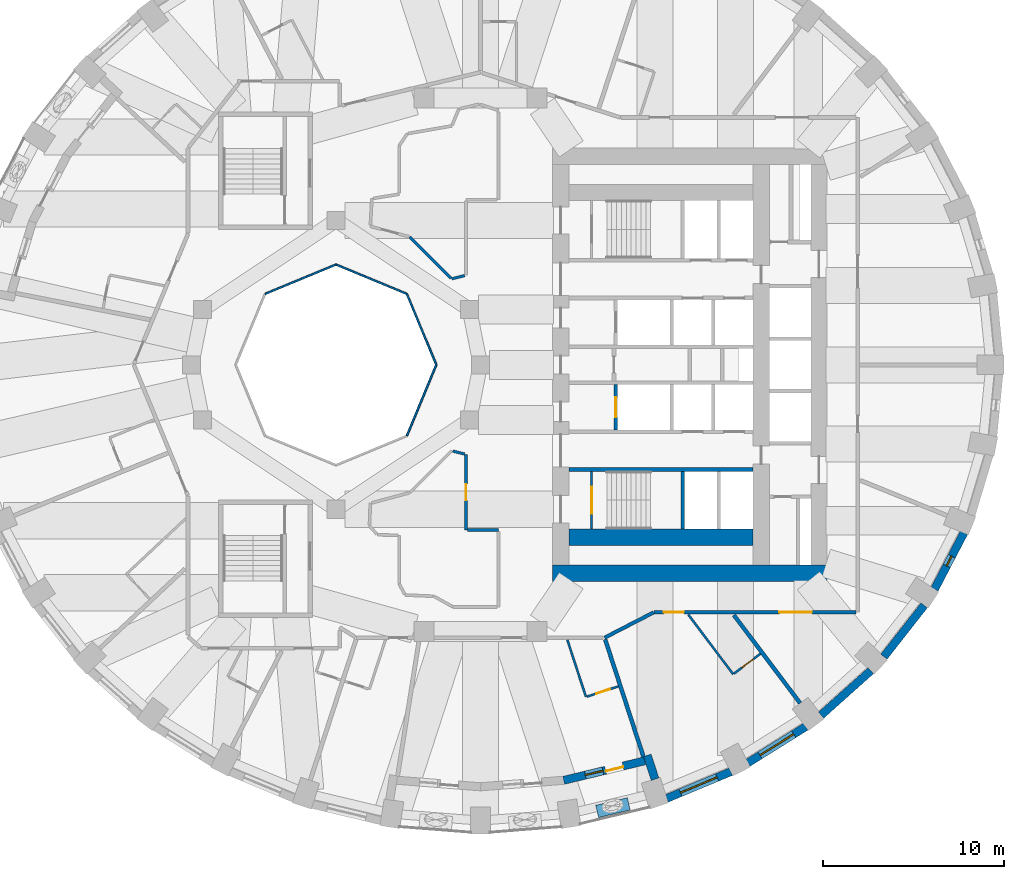
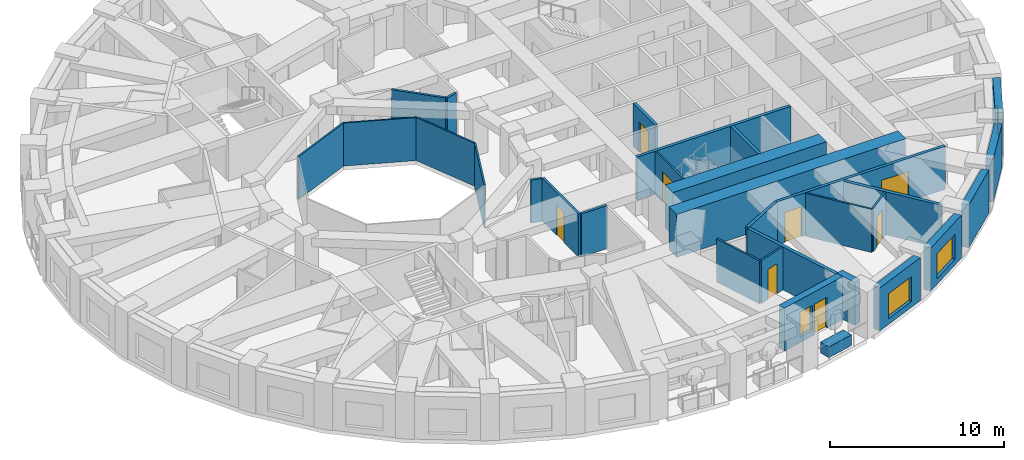
# One storey, part 5 of 13: 31 walls, 8 doors, 4 windows, 12 openings.
"""IFC4 building model written with IfcOpenShell, lengths in metres."""

from ifc_helpers import new_model, si_unit, direction, frame, frame_2d, origin, place, context, subcontext, project, spatial, rectangle, extrude, material, layer, layer_set, constituent, constituent_set, type_object, element, fill, save


model = new_model("IFC4")

# Units and contexts
model_context = context("Model", 3, precision=1e-05, world=origin(), true_north=direction((0.0, 1.0)))
body_context = subcontext(model_context, "Body", "Model", "MODEL_VIEW")
ifc_project = project(units=[si_unit("LENGTHUNIT", "METRE"), si_unit("AREAUNIT", "SQUARE_METRE"), si_unit("VOLUMEUNIT", "CUBIC_METRE"), si_unit("PLANEANGLEUNIT", "RADIAN"), si_unit("MASSUNIT", "GRAM", prefix="KILO")], contexts=[model_context])

# Site, building, storey
site_placement = place(None, origin())
site = spatial("IfcSite", under=ifc_project, at=site_placement, CompositionType="ELEMENT")
building_placement = place(site_placement, origin())
building = spatial("IfcBuilding", under=site, at=building_placement, Name="Taillehof Tower", CompositionType="ELEMENT")
storey_placement = place(building_placement, frame((0.0, 0.0, 77.800048828125)))
storey = spatial("IfcBuildingStorey", under=building, at=storey_placement, Name="L21", CompositionType="ELEMENT", Elevation=77.800048828125)

# Walls
ifc_material_1 = material(Name="Fire-resisting glass in steel frame", Category="steel")
ifc_layer_1 = layer(ifc_material_1, 0.10009765625)
ifc_layer_set_1 = layer_set([ifc_layer_1], Name="Atrium fire-resisting screen EI 60 100")
wall_type_1 = type_object("IfcWallType", Name="Atrium fire-resisting screen EI 60 100", PredefinedType="PARTITIONING", material=ifc_layer_set_1)
for number, where, z_axis, x_axis, name in (
    (1, (-2.44580078125, 0.0, 0.0), (0.0, 0.0, 1.0), (-0.382730523909, -0.923860025149, 0.0), "Atrium screen"),
    (2, (-11.92724609375, 3.92724609375, 0.0), (0.0, 0.0, 1.0), (0.923860025149, 0.382730523909, 0.0), "Atrium screen"),
    (3, (-8.0, 5.55419921875, 0.0), (0.0, 0.0, 1.0), (0.923860025149, -0.382730523909, 0.0), "Atrium screen"),
    (4, (-4.07275390625, 3.92724609375, 0.0), (0.0, 0.0, 1.0), (0.382730523909, -0.923860025149, 0.0), "Atrium screen"),
):
    element("IfcWall", number, at=place(storey_placement, frame(where, z_axis=z_axis, x_axis=x_axis)), inside=storey, type_object=wall_type_1, Name=name, PredefinedType="PARTITIONING", context=body_context, shape_type="SweptSolid", body=[
        extrude(rectangle(XDim=4.2509765625, YDim=0.10009765625, at=frame_2d((2.12548828125, 0.0))), origin(), (0.0, 0.0, 1.0), 3.02001953125),
    ])

# Wall, opening, window
ifc_material_2 = material(Name="Brick masonry", Category="masonry")
ifc_layer_2 = layer(ifc_material_2, 0.449951171875)
ifc_layer_set_2 = layer_set([ifc_layer_2], Name="Brick infill wall 450")
wall_type_2 = type_object("IfcWallType", Name="Brick infill wall 450", PredefinedType="SOLIDWALL", material=ifc_layer_set_2)
wall_1_placement = place(storey_placement, frame((10.3154296875, -24.02099609375, 0.0), z_axis=(0.0, 0.0, 1.0), x_axis=(0.923031964282, 0.384723267966, 0.0)))
wall_1 = element("IfcWall", 5, at=wall_1_placement, inside=storey, type_object=wall_type_2, Name="Brick wall L21 bay 30", PredefinedType="SOLIDWALL", context=body_context, shape_type="SweptSolid", body=[
    extrude(rectangle(XDim=3.8564453125, YDim=0.449951171875, at=frame_2d((1.92822265625, 0.0))), origin(), (0.0, 0.0, 1.0), 3.02001953125),
])
opening_1_placement = place(wall_1_placement, frame((0.828125, 0.0, 0.39990234375)))
opening_1 = element("IfcOpeningElement", 6, at=opening_1_placement, cuts=wall_1, Name="Opening W1", PredefinedType="OPENING", context=body_context, shape_type="SweptSolid", body=[
    extrude(rectangle(XDim=2.199951171875, YDim=1.75, at=frame_2d((1.10009765625, 0.875))), frame((0.0, 0.23486328125, 0.0), z_axis=(0.0, -1.0, 0.0), x_axis=(1.0, 0.0, 0.0)), (0.0, 0.0, 1.0), 0.469970703125),
])
ifc_material_3 = material(Name="Aluminium window frame with clear double glazing", Category="aluminium")
window_type_1 = type_object("IfcWindowType", Name="Deep-set window 2200x1750", PartitioningType="SINGLE_PANEL", PredefinedType="WINDOW", material=ifc_material_3)
window_1_placement = place(opening_1_placement, origin())
window_1 = element("IfcWindow", 7, at=window_1_placement, inside=storey, type_object=window_type_1, Name="W1", OverallHeight=1.75, OverallWidth=2.199951171875, PartitioningType="SINGLE_PANEL", PredefinedType="WINDOW", context=body_context, shape_type="SweptSolid", body=[
    extrude(rectangle(XDim=2.199951171875, YDim=1.75, at=frame_2d((1.10009765625, 0.875))), frame((0.0, 0.034912109375, 0.0), z_axis=(0.0, -1.0, 0.0), x_axis=(1.0, 0.0, 0.0)), (0.0, 0.0, 1.0), 0.06005859375),
])
fill(opening_1, window_1)

wall_2_placement = place(storey_placement, frame((14.81689453125, -22.050537109375, 0.0), z_axis=(0.0, 0.0, 1.0), x_axis=(0.847635480093, 0.530579016629, 0.0)))
wall_2 = element("IfcWall", 8, at=wall_2_placement, inside=storey, type_object=wall_type_2, Name="Brick wall L21 bay 31", PredefinedType="SOLIDWALL", context=body_context, shape_type="SweptSolid", body=[
    extrude(rectangle(XDim=3.782470703125, YDim=0.449951171875, at=frame_2d((1.89111328125, 0.0))), origin(), (0.0, 0.0, 1.0), 3.02001953125),
])
opening_2_placement = place(wall_2_placement, frame((0.791259765625, 0.0, 0.39990234375)))
opening_2 = element("IfcOpeningElement", 9, at=opening_2_placement, cuts=wall_2, Name="Opening W1", PredefinedType="OPENING", context=body_context, shape_type="SweptSolid", body=[
    extrude(rectangle(XDim=2.199951171875, YDim=1.75, at=frame_2d((1.10009765625, 0.875))), frame((0.0, 0.23486328125, 0.0), z_axis=(0.0, -1.0, 0.0), x_axis=(1.0, 0.0, 0.0)), (0.0, 0.0, 1.0), 0.469970703125),
])
window_2_placement = place(opening_2_placement, origin())
window_2 = element("IfcWindow", 10, at=window_2_placement, inside=storey, type_object=window_type_1, Name="W1", OverallHeight=1.75, OverallWidth=2.199951171875, PartitioningType="SINGLE_PANEL", PredefinedType="WINDOW", context=body_context, shape_type="SweptSolid", body=[
    extrude(rectangle(XDim=2.199951171875, YDim=1.75, at=frame_2d((1.10009765625, 0.875))), frame((0.0, 0.034912109375, 0.0), z_axis=(0.0, -1.0, 0.0), x_axis=(1.0, 0.0, 0.0)), (0.0, 0.0, 1.0), 0.06005859375),
])
fill(opening_2, window_2)

# Walls
wall_3_placement = place(storey_placement, frame((18.87060546875, -19.406982421875, 0.0), z_axis=(0.0, 0.0, 1.0), x_axis=(0.745526233716, 0.66647628228, 0.0)))
element("IfcWall", 11, at=wall_3_placement, inside=storey, type_object=wall_type_2, Name="Brick wall L21 bay 32", PredefinedType="SOLIDWALL", context=body_context, shape_type="SweptSolid", body=[
    extrude(rectangle(XDim=3.69677734375, YDim=0.449951171875, at=frame_2d((1.848388671875, 0.0))), origin(), (0.0, 0.0, 1.0), 3.02001953125),
])
wall_4_placement = place(storey_placement, frame((22.3515625, -16.169677734375, 0.0), z_axis=(0.0, 0.0, 1.0), x_axis=(0.616661975264, 0.787228053529, 0.0)))
element("IfcWall", 12, at=wall_4_placement, inside=storey, type_object=wall_type_2, Name="Brick wall L21 bay 33", PredefinedType="SOLIDWALL", context=body_context, shape_type="SweptSolid", body=[
    extrude(rectangle(XDim=3.60986328125, YDim=0.449951171875, at=frame_2d((1.804931640625, 0.0))), origin(), (0.0, 0.0, 1.0), 3.02001953125),
])

# Wall, opening, window
wall_5_placement = place(storey_placement, frame((25.152099609375, -12.436767578125, 0.0), z_axis=(0.0, 0.0, 1.0), x_axis=(0.462492775226, 0.886623050041, 0.0)))
wall_5 = element("IfcWall", 13, at=wall_5_placement, inside=storey, type_object=wall_type_2, Name="Brick wall L21 bay 34", PredefinedType="SOLIDWALL", context=body_context, shape_type="SweptSolid", body=[
    extrude(rectangle(XDim=3.531982421875, YDim=0.449951171875, at=frame_2d((1.76611328125, 0.0))), origin(), (0.0, 0.0, 1.0), 3.02001953125),
])
opening_3_placement = place(wall_5_placement, frame((1.466064453125, 0.0, 0.39990234375)))
opening_3 = element("IfcOpeningElement", 14, at=opening_3_placement, cuts=wall_5, Name="Opening W6", PredefinedType="OPENING", context=body_context, shape_type="SweptSolid", body=[
    extrude(rectangle(XDim=0.60009765625, YDim=1.75, at=frame_2d((0.300048828125, 0.875))), frame((0.0, 0.23486328125, 0.0), z_axis=(0.0, -1.0, 0.0), x_axis=(1.0, 0.0, 0.0)), (0.0, 0.0, 1.0), 0.469970703125),
])
ifc_material_4 = material(Name="Aluminium window frame with clear double glazing", Category="aluminium")
window_type_2 = type_object("IfcWindowType", Name="Slot window 600x1750", PartitioningType="SINGLE_PANEL", PredefinedType="WINDOW", material=ifc_material_4)
window_3_placement = place(opening_3_placement, origin())
window_3 = element("IfcWindow", 15, at=window_3_placement, inside=storey, type_object=window_type_2, Name="W6", OverallHeight=1.75, OverallWidth=0.60009765625, PartitioningType="SINGLE_PANEL", PredefinedType="WINDOW", context=body_context, shape_type="SweptSolid", body=[
    extrude(rectangle(XDim=0.60009765625, YDim=1.75, at=frame_2d((0.300048828125, 0.875))), frame((0.0, 0.034912109375, 0.0), z_axis=(0.0, -1.0, 0.0), x_axis=(1.0, 0.0, 0.0)), (0.0, 0.0, 1.0), 0.06005859375),
])
fill(opening_3, window_3)

# Wall
wall_6_placement = place(storey_placement, frame((9.673583984375, -22.95556640625, 0.0), z_axis=(0.0, 0.0, 1.0), x_axis=(-0.310269011655, 0.950648799719, 0.0)))
element("IfcWall", 16, at=wall_6_placement, inside=storey, type_object=wall_type_2, Name="Brick reveal L21 pocket 8", PredefinedType="SOLIDWALL", context=body_context, shape_type="SweptSolid", body=[
    extrude(rectangle(XDim=1.390380859375, YDim=0.449951171875, at=frame_2d((0.6953125, 0.0))), origin(), (0.0, 0.0, 1.0), 3.02001953125),
])

# Wall, openings, door, window
wall_7_placement = place(storey_placement, frame((4.6083984375, -23.015625, 0.0), z_axis=(0.0, 0.0, 1.0), x_axis=(0.972343667289, 0.233554688847, 0.0)))
wall_7 = element("IfcWall", 17, at=wall_7_placement, inside=storey, type_object=wall_type_2, Name="Brick wall L21 pocket bay 29", PredefinedType="SOLIDWALL", context=body_context, shape_type="SweptSolid", body=[
    extrude(rectangle(XDim=4.62353515625, YDim=0.449951171875, at=frame_2d((2.311767578125, 0.0))), origin(), (0.0, 0.0, 1.0), 3.02001953125),
])
opening_4_placement = place(wall_7_placement, frame((1.23681640625, 0.0, 0.39990234375)))
opening_4 = element("IfcOpeningElement", 18, at=opening_4_placement, cuts=wall_7, Name="Opening W5", PredefinedType="OPENING", context=body_context, shape_type="SweptSolid", body=[
    extrude(rectangle(XDim=1.0, YDim=1.75, at=frame_2d((0.5, 0.875))), frame((0.0, 0.23486328125, 0.0), z_axis=(0.0, -1.0, 0.0), x_axis=(1.0, 0.0, 0.0)), (0.0, 0.0, 1.0), 0.469970703125),
])
opening_5_placement = place(wall_7_placement, frame((2.38671875, 0.0, 0.0)))
opening_5 = element("IfcOpeningElement", 19, at=opening_5_placement, cuts=wall_7, Name="Opening D2193", PredefinedType="OPENING", context=body_context, shape_type="SweptSolid", body=[
    extrude(rectangle(XDim=1.0, YDim=2.14990234375, at=frame_2d((0.5, 1.074951171875))), frame((0.0, 0.23486328125, 0.0), z_axis=(0.0, -1.0, 0.0), x_axis=(1.0, 0.0, 0.0)), (0.0, 0.0, 1.0), 0.469970703125),
])
ifc_material_5 = material(Name="Aluminium door frame with clear double glazing", Category="aluminium")
door_type_1 = type_object("IfcDoorType", Name="Balcony door 1000x2150", OperationType="SINGLE_SWING_RIGHT", PredefinedType="DOOR", material=ifc_material_5)
door_1_placement = place(opening_5_placement, frame((1.0, 0.0, 0.0), z_axis=(0.0, 0.0, 1.0), x_axis=(-1.0, 0.0, 0.0)))
door_1 = element("IfcDoor", 20, at=door_1_placement, inside=storey, type_object=door_type_1, Name="Balcony door L21 bay 29", OperationType="SINGLE_SWING_LEFT", OverallHeight=2.14990234375, OverallWidth=1.0, PredefinedType="DOOR", context=body_context, shape_type="SweptSolid", body=[
    extrude(rectangle(XDim=1.0, YDim=2.14990234375, at=frame_2d((0.5, 1.074951171875))), frame((0.0, 0.0751953125, 0.0), z_axis=(0.0, -1.0, 0.0), x_axis=(1.0, 0.0, 0.0)), (0.0, 0.0, 1.0), 0.050048828125),
])
fill(opening_5, door_1)
ifc_material_6 = material(Name="Aluminium window frame with clear double glazing", Category="aluminium")
window_type_3 = type_object("IfcWindowType", Name="Fixed window 1000x1750", PartitioningType="SINGLE_PANEL", PredefinedType="WINDOW", material=ifc_material_6)
window_4_placement = place(opening_4_placement, origin())
window_4 = element("IfcWindow", 21, at=window_4_placement, inside=storey, type_object=window_type_3, Name="W5", OverallHeight=1.75, OverallWidth=1.0, PartitioningType="SINGLE_PANEL", PredefinedType="WINDOW", context=body_context, shape_type="SweptSolid", body=[
    extrude(rectangle(XDim=1.0, YDim=1.75, at=frame_2d((0.5, 0.875))), frame((0.0, 0.034912109375, 0.0), z_axis=(0.0, -1.0, 0.0), x_axis=(1.0, 0.0, 0.0)), (0.0, 0.0, 1.0), 0.06005859375),
])
fill(opening_4, window_4)

# Wall, openings, doors
ifc_material_7 = material(Name="Gypsum board on steel studs, two layers each side", Category="steel")
ifc_layer_3 = layer(ifc_material_7, 0.199951171875)
ifc_layer_set_3 = layer_set([ifc_layer_3], Name="Compartment wall corridor 200")
wall_type_3 = type_object("IfcWallType", Name="Compartment wall corridor 200", PredefinedType="PARTITIONING", material=ifc_layer_set_3)
wall_8_placement = place(storey_placement, frame((20.7998046875, -13.699951171875, 0.0), z_axis=(0.0, 0.0, 1.0), x_axis=(-1.0, 0.0, 0.0)))
wall_8 = element("IfcWall", 22, at=wall_8_placement, inside=storey, type_object=wall_type_3, Name="Compartment wall", PredefinedType="PARTITIONING", context=body_context, shape_type="SweptSolid", body=[
    extrude(rectangle(XDim=11.178466796875, YDim=0.199951171875, at=frame_2d((5.58935546875, 0.0))), origin(), (0.0, 0.0, 1.0), 3.02001953125),
])
opening_6_placement = place(wall_8_placement, frame((9.53369140625, 0.0, 0.0)))
opening_6 = element("IfcOpeningElement", 23, at=opening_6_placement, cuts=wall_8, Name="Opening D2162", PredefinedType="OPENING", context=body_context, shape_type="SweptSolid", body=[
    extrude(rectangle(XDim=1.10009765625, YDim=2.10009765625, at=frame_2d((0.550048828125, 1.050048828125))), frame((0.0, 0.10986328125, 0.0), z_axis=(0.0, -1.0, 0.0), x_axis=(1.0, 0.0, 0.0)), (0.0, 0.0, 1.0), 0.219970703125),
])
opening_7_placement = place(wall_8_placement, frame((2.447998046875, 0.0, 0.0)))
opening_7 = element("IfcOpeningElement", 24, at=opening_7_placement, cuts=wall_8, Name="Opening D2164", PredefinedType="OPENING", context=body_context, shape_type="SweptSolid", body=[
    extrude(rectangle(XDim=1.800048828125, YDim=2.10009765625, at=frame_2d((0.89990234375, 1.050048828125))), frame((0.0, 0.10986328125, 0.0), z_axis=(0.0, -1.0, 0.0), x_axis=(1.0, 0.0, 0.0)), (0.0, 0.0, 1.0), 0.219970703125),
])
ifc_material_8 = material(Name="Timber door leaf in steel frame", Category="steel")
door_type_2 = type_object("IfcDoorType", Name="Lounge and meeting room double door EI 30 1800 x 2100", OperationType="SINGLE_SWING_LEFT", PredefinedType="DOOR", material=ifc_material_8)
door_2_placement = place(opening_7_placement, origin())
door_2 = element("IfcDoor", 25, at=door_2_placement, inside=storey, type_object=door_type_2, Name="D2164", OperationType="DOUBLE_DOOR_SINGLE_SWING", OverallHeight=2.10009765625, OverallWidth=1.800048828125, PredefinedType="DOOR", context=body_context, shape_type="SweptSolid", body=[
    extrude(rectangle(XDim=1.800048828125, YDim=2.10009765625, at=frame_2d((0.89990234375, 1.050048828125))), frame((0.0, 0.02490234375, 0.0), z_axis=(0.0, -1.0, 0.0), x_axis=(1.0, 0.0, 0.0)), (0.0, 0.0, 1.0), 0.050048828125),
])
fill(opening_7, door_2)
ifc_material_9 = material(Name="Timber door leaf in steel frame", Category="steel")
door_type_3 = type_object("IfcDoorType", Name="Suite entrance door EI 30 1100 x 2100", OperationType="SINGLE_SWING_LEFT", PredefinedType="DOOR", material=ifc_material_9)
door_3_placement = place(opening_6_placement, origin())
door_3 = element("IfcDoor", 26, at=door_3_placement, inside=storey, type_object=door_type_3, Name="D2162", OperationType="SINGLE_SWING_LEFT", OverallHeight=2.10009765625, OverallWidth=1.10009765625, PredefinedType="DOOR", context=body_context, shape_type="SweptSolid", body=[
    extrude(rectangle(XDim=1.10009765625, YDim=2.10009765625, at=frame_2d((0.550048828125, 1.050048828125))), frame((0.0, 0.02490234375, 0.0), z_axis=(0.0, -1.0, 0.0), x_axis=(1.0, 0.0, 0.0)), (0.0, 0.0, 1.0), 0.050048828125),
])
fill(opening_6, door_3)

# Walls
wall_9_placement = place(storey_placement, frame((9.585693359375, -13.718505859375, 0.0), z_axis=(0.0, 0.0, 1.0), x_axis=(-0.888664904046, -0.458557181076, 0.0)))
element("IfcWall", 27, at=wall_9_placement, inside=storey, type_object=wall_type_3, Name="Compartment wall", PredefinedType="PARTITIONING", context=body_context, shape_type="SweptSolid", body=[
    extrude(rectangle(XDim=3.04638671875, YDim=0.199951171875, at=frame_2d((1.523193359375, 0.0))), origin(), (0.0, 0.0, 1.0), 3.02001953125),
])
ifc_material_10 = material(Name="Gypsum board on double steel studs with mineral wool", Category="steel")
ifc_layer_4 = layer(ifc_material_10, 0.219970703125)
ifc_layer_set_4 = layer_set([ifc_layer_4], Name="Compartment wall guest room 220")
wall_type_4 = type_object("IfcWallType", Name="Compartment wall guest room 220", PredefinedType="PARTITIONING", material=ifc_layer_set_4)
wall_10_placement = place(storey_placement, frame((9.033935546875, -21.72119140625, 0.0), z_axis=(0.0, 0.0, 1.0), x_axis=(-0.310286072156, 0.95064323141, 0.0)))
element("IfcWall", 28, at=wall_10_placement, inside=storey, type_object=wall_type_4, Name="Compartment wall", PredefinedType="PARTITIONING", context=body_context, shape_type="SweptSolid", body=[
    extrude(rectangle(XDim=6.8486328125, YDim=0.219970703125, at=frame_2d((3.42431640625, 0.0))), origin(), (0.0, 0.0, 1.0), 3.02001953125),
])
wall_11_placement = place(storey_placement, frame((17.707763671875, -18.7431640625, 0.0), z_axis=(0.0, 0.0, 1.0), x_axis=(-0.601170031872, 0.799121137738, 0.0)))
element("IfcWall", 29, at=wall_11_placement, inside=storey, type_object=wall_type_4, Name="Compartment wall", PredefinedType="PARTITIONING", context=body_context, shape_type="SweptSolid", body=[
    extrude(rectangle(XDim=6.106201171875, YDim=0.219970703125, at=frame_2d((3.05322265625, 0.0))), origin(), (0.0, 0.0, 1.0), 3.02001953125),
])
ifc_material_11 = material(Name="Gypsum board on steel studs, two layers each side", Category="steel")
ifc_layer_5 = layer(ifc_material_11, 0.14990234375)
ifc_layer_set_5 = layer_set([ifc_layer_5], Name="Compartment wall service room 150")
wall_type_5 = type_object("IfcWallType", Name="Compartment wall service room 150", PredefinedType="PARTITIONING", material=ifc_layer_set_5)
wall_12_placement = place(storey_placement, frame((-0.877197265625, 4.94189453125, 0.0), z_axis=(0.0, 0.0, 1.0), x_axis=(-0.969671869719, -0.244410443874, 0.0)))
element("IfcWall", 30, at=wall_12_placement, inside=storey, type_object=wall_type_5, Name="Compartment wall", PredefinedType="PARTITIONING", context=body_context, shape_type="SweptSolid", body=[
    extrude(rectangle(XDim=0.735107421875, YDim=0.14990234375, at=frame_2d((0.36767578125, 0.0))), origin(), (0.0, 0.0, 1.0), 3.02001953125),
])
wall_13_placement = place(storey_placement, frame((-1.632568359375, 4.8046875, 0.0), z_axis=(0.0, 0.0, 1.0), x_axis=(-0.707068892009, 0.707144668334, 0.0)))
element("IfcWall", 31, at=wall_13_placement, inside=storey, type_object=wall_type_5, Name="Compartment wall", PredefinedType="PARTITIONING", context=body_context, shape_type="SweptSolid", body=[
    extrude(rectangle(XDim=3.221923828125, YDim=0.14990234375, at=frame_2d((1.61083984375, 0.0))), origin(), (0.0, 0.0, 1.0), 3.02001953125),
])

# Wall, opening, door
wall_14_placement = place(storey_placement, frame((-0.800048828125, -4.96142578125, 0.0), z_axis=(0.0, 0.0, 1.0), x_axis=(0.0, -1.0, 0.0)))
wall_14 = element("IfcWall", 32, at=wall_14_placement, inside=storey, type_object=wall_type_5, Name="Compartment wall", PredefinedType="PARTITIONING", context=body_context, shape_type="SweptSolid", body=[
    extrude(rectangle(XDim=4.1884765625, YDim=0.14990234375, at=frame_2d((2.09423828125, 0.0))), origin(), (0.0, 0.0, 1.0), 3.02001953125),
])
opening_8_placement = place(wall_14_placement, frame((1.644287109375, 0.0, 0.0)))
opening_8 = element("IfcOpeningElement", 33, at=opening_8_placement, cuts=wall_14, Name="Opening D2169", PredefinedType="OPENING", context=body_context, shape_type="SweptSolid", body=[
    extrude(rectangle(XDim=0.89990234375, YDim=2.10009765625, at=frame_2d((0.449951171875, 1.050048828125))), frame((0.0, 0.0849609375, 0.0), z_axis=(0.0, -1.0, 0.0), x_axis=(1.0, 0.0, 0.0)), (0.0, 0.0, 1.0), 0.169921875),
])
ifc_material_12 = material(Name="Timber door leaf in steel frame", Category="steel")
door_type_4 = type_object("IfcDoorType", Name="Service room door EI 30 900 x 2100", OperationType="SINGLE_SWING_LEFT", PredefinedType="DOOR", material=ifc_material_12)
door_4_placement = place(opening_8_placement, origin())
door_4 = element("IfcDoor", 34, at=door_4_placement, inside=storey, type_object=door_type_4, Name="D2169", OperationType="SINGLE_SWING_RIGHT", OverallHeight=2.10009765625, OverallWidth=0.89990234375, PredefinedType="DOOR", context=body_context, shape_type="SweptSolid", body=[
    extrude(rectangle(XDim=0.89990234375, YDim=2.10009765625, at=frame_2d((0.449951171875, 1.050048828125))), frame((0.0, 0.02490234375, 0.0), z_axis=(0.0, -1.0, 0.0), x_axis=(1.0, 0.0, 0.0)), (0.0, 0.0, 1.0), 0.050048828125),
])
fill(opening_8, door_4)

# Walls
wall_15_placement = place(storey_placement, frame((-0.719970703125, -9.14990234375, 0.0), z_axis=(0.0, 0.0, 1.0), x_axis=(1.0, 0.0, 0.0)))
element("IfcWall", 35, at=wall_15_placement, inside=storey, type_object=wall_type_5, Name="Compartment wall", PredefinedType="PARTITIONING", context=body_context, shape_type="SweptSolid", body=[
    extrude(rectangle(XDim=1.719970703125, YDim=0.14990234375, at=frame_2d((0.85986328125, 0.0))), origin(), (0.0, 0.0, 1.0), 3.02001953125),
])
wall_16_placement = place(storey_placement, frame((-1.5322265625, -4.77685546875, 0.0), z_axis=(0.0, 0.0, 1.0), x_axis=(0.969694394352, -0.244321062461, 0.0)))
element("IfcWall", 36, at=wall_16_placement, inside=storey, type_object=wall_type_5, Name="Compartment wall", PredefinedType="PARTITIONING", context=body_context, shape_type="SweptSolid", body=[
    extrude(rectangle(XDim=0.675537109375, YDim=0.14990234375, at=frame_2d((0.337890625, 0.0))), origin(), (0.0, 0.0, 1.0), 3.02001953125),
])
ifc_material_13 = material(Name="Concrete C80/95", Category="concrete")
ifc_layer_6 = layer(ifc_material_13, 0.89990234375)
ifc_layer_set_6 = layer_set([ifc_layer_6], Name="Core wall C80/95 900")
wall_type_6 = type_object("IfcWallType", Name="Core wall C80/95 900", PredefinedType="SHEAR", material=ifc_layer_set_6)
wall_17_placement = place(storey_placement, frame((4.0, -11.550048828125, 0.0), z_axis=(0.0, 0.0, 1.0), x_axis=(1.0, 0.0, 0.0)))
element("IfcWall", 37, at=wall_17_placement, inside=storey, type_object=wall_type_6, Name="Core wall CW04", PredefinedType="SHEAR", context=body_context, shape_type="SweptSolid", body=[
    extrude(rectangle(XDim=15.199951171875, YDim=0.89990234375, at=frame_2d((7.60009765625, 0.0))), origin(), (0.0, 0.0, 1.0), 3.02001953125),
])
wall_18_placement = place(storey_placement, frame((4.89990234375, -9.550048828125, 0.0), z_axis=(0.0, 0.0, 1.0), x_axis=(1.0, 0.0, 0.0)))
element("IfcWall", 38, at=wall_18_placement, inside=storey, type_object=wall_type_6, Name="Core wall CW07", PredefinedType="SHEAR", context=body_context, shape_type="SweptSolid", body=[
    extrude(rectangle(XDim=10.2001953125, YDim=0.89990234375, at=frame_2d((5.10009765625, 0.0))), origin(), (0.0, 0.0, 1.0), 3.02001953125),
])
ifc_material_14 = material(Name="Gypsum board on steel studs, moisture resistant", Category="steel")
ifc_layer_7 = layer(ifc_material_14, 0.1201171875)
ifc_layer_set_7 = layer_set([ifc_layer_7], Name="En-suite wall 120")
wall_type_7 = type_object("IfcWallType", Name="En-suite wall 120", PredefinedType="PARTITIONING", material=ifc_layer_set_7)
wall_19_placement = place(storey_placement, frame((4.8134765625, -15.234619140625, 0.0), z_axis=(0.0, 0.0, 1.0), x_axis=(0.310233981264, -0.950660232086, 0.0)))
element("IfcWall", 39, at=wall_19_placement, inside=storey, type_object=wall_type_7, Name="En-suite wall", PredefinedType="PARTITIONING", context=body_context, shape_type="SweptSolid", body=[
    extrude(rectangle(XDim=3.3271484375, YDim=0.1201171875, at=frame_2d((1.66357421875, 0.0))), origin(), (0.0, 0.0, 1.0), 3.02001953125),
])
wall_20_placement = place(storey_placement, frame((11.51025390625, -13.831787109375, 0.0), z_axis=(0.0, 0.0, 1.0), x_axis=(0.60115060605, -0.7991357512, 0.0)))
element("IfcWall", 40, at=wall_20_placement, inside=storey, type_object=wall_type_7, Name="En-suite wall", PredefinedType="PARTITIONING", context=body_context, shape_type="SweptSolid", body=[
    extrude(rectangle(XDim=4.1396484375, YDim=0.1201171875, at=frame_2d((2.06982421875, 0.0))), origin(), (0.0, 0.0, 1.0), 3.02001953125),
])

# Wall, opening, door
wall_21_placement = place(storey_placement, frame((5.90283203125, -18.37939453125, 0.0), z_axis=(0.0, 0.0, 1.0), x_axis=(0.950626343776, 0.310337807105, 0.0)))
wall_21 = element("IfcWall", 41, at=wall_21_placement, inside=storey, type_object=wall_type_7, Name="En-suite wall", PredefinedType="PARTITIONING", context=body_context, shape_type="SweptSolid", body=[
    extrude(rectangle(XDim=1.829833984375, YDim=0.1201171875, at=frame_2d((0.9150390625, 0.0))), origin(), (0.0, 0.0, 1.0), 3.02001953125),
])
opening_9_placement = place(wall_21_placement, frame((0.5400390625, 0.0, 0.0)))
opening_9 = element("IfcOpeningElement", 42, at=opening_9_placement, cuts=wall_21, Name="Opening D2161", PredefinedType="OPENING", context=body_context, shape_type="SweptSolid", body=[
    extrude(rectangle(XDim=0.800048828125, YDim=2.10009765625, at=frame_2d((0.39990234375, 1.050048828125))), frame((0.0, 0.070068359375, 0.0), z_axis=(0.0, -1.0, 0.0), x_axis=(1.0, 0.0, 0.0)), (0.0, 0.0, 1.0), 0.14013671875),
])
ifc_material_15 = material(Name="Timber door leaf in steel frame", Category="steel")
door_type_5 = type_object("IfcDoorType", Name="En-suite door 800 x 2100", OperationType="SINGLE_SWING_LEFT", PredefinedType="DOOR", material=ifc_material_15)
door_5_placement = place(opening_9_placement, origin())
door_5 = element("IfcDoor", 43, at=door_5_placement, inside=storey, type_object=door_type_5, Name="D2161", OperationType="SINGLE_SWING_LEFT", OverallHeight=2.10009765625, OverallWidth=0.800048828125, PredefinedType="DOOR", context=body_context, shape_type="SweptSolid", body=[
    extrude(rectangle(XDim=0.800048828125, YDim=2.10009765625, at=frame_2d((0.39990234375, 1.050048828125))), frame((0.0, 0.02490234375, 0.0), z_axis=(0.0, -1.0, 0.0), x_axis=(1.0, 0.0, 0.0)), (0.0, 0.0, 1.0), 0.050048828125),
])
fill(opening_9, door_5)

wall_22_placement = place(storey_placement, frame((14.046630859375, -17.103759765625, 0.0), z_axis=(0.0, 0.0, 1.0), x_axis=(0.799182868338, 0.601087966071, 0.0)))
wall_22 = element("IfcWall", 44, at=wall_22_placement, inside=storey, type_object=wall_type_7, Name="En-suite wall", PredefinedType="PARTITIONING", context=body_context, shape_type="SweptSolid", body=[
    extrude(rectangle(XDim=1.830078125, YDim=0.1201171875, at=frame_2d((0.9150390625, 0.0))), origin(), (0.0, 0.0, 1.0), 3.02001953125),
])
opening_10_placement = place(wall_22_placement, frame((0.5400390625, 0.0, 0.0)))
opening_10 = element("IfcOpeningElement", 45, at=opening_10_placement, cuts=wall_22, Name="Opening D2163", PredefinedType="OPENING", context=body_context, shape_type="SweptSolid", body=[
    extrude(rectangle(XDim=0.800048828125, YDim=2.10009765625, at=frame_2d((0.39990234375, 1.050048828125))), frame((0.0, 0.070068359375, 0.0), z_axis=(0.0, -1.0, 0.0), x_axis=(1.0, 0.0, 0.0)), (0.0, 0.0, 1.0), 0.14013671875),
])
door_6_placement = place(opening_10_placement, origin())
door_6 = element("IfcDoor", 46, at=door_6_placement, inside=storey, type_object=door_type_5, Name="D2163", OperationType="SINGLE_SWING_LEFT", OverallHeight=2.10009765625, OverallWidth=0.800048828125, PredefinedType="DOOR", context=body_context, shape_type="SweptSolid", body=[
    extrude(rectangle(XDim=0.800048828125, YDim=2.10009765625, at=frame_2d((0.39990234375, 1.050048828125))), frame((0.0, 0.02490234375, 0.0), z_axis=(0.0, -1.0, 0.0), x_axis=(1.0, 0.0, 0.0)), (0.0, 0.0, 1.0), 0.050048828125),
])
fill(opening_10, door_6)

# Walls
ifc_material_16 = material(Name="Concrete C30/37 precast", Category="concrete")
ifc_constituent_1 = constituent(ifc_material_16, Name="Structure", Category="concrete")
ifc_material_17 = material(Name="Insulated lining")
ifc_constituent_2 = constituent(ifc_material_17, Name="Lining")
ifc_constituent_set = constituent_set(constituents=[ifc_constituent_1, ifc_constituent_2], Name="Planter trough 700x750")
wall_type_8 = type_object("IfcWallType", Name="Planter trough 700x750", PredefinedType="USERDEFINED", material=ifc_constituent_set)
wall_23_placement = place(storey_placement, frame((6.464599609375, -24.7373046875, 0.0), z_axis=(0.0, 0.0, 1.0), x_axis=(0.972504142103, 0.232885580473, 0.0)))
element("IfcWall", 47, at=wall_23_placement, inside=storey, type_object=wall_type_8, Name="Planter L21 bay 29", ObjectType="PLANTER", PredefinedType="USERDEFINED", context=body_context, shape_type="SweptSolid", body=[
    extrude(rectangle(XDim=1.800048828125, YDim=0.699951171875, at=frame_2d((0.89990234375, 0.0))), origin(), (0.0, 0.0, 1.0), 0.75),
])
ifc_material_18 = material(Name="Concrete C50/60", Category="concrete")
ifc_layer_8 = layer(ifc_material_18, 0.199951171875)
ifc_layer_set_8 = layer_set([ifc_layer_8], Name="Shaft wall C50/60 200")
wall_type_9 = type_object("IfcWallType", Name="Shaft wall C50/60 200", PredefinedType="SHEAR", material=ifc_layer_set_8)
wall_24_placement = place(storey_placement, frame((4.89990234375, -5.800048828125, 0.0), z_axis=(0.0, 0.0, 1.0), x_axis=(1.0, 0.0, 0.0)))
element("IfcWall", 48, at=wall_24_placement, inside=storey, type_object=wall_type_9, Name="Shaft wall SW", PredefinedType="SHEAR", context=body_context, shape_type="SweptSolid", body=[
    extrude(rectangle(XDim=10.2001953125, YDim=0.199951171875, at=frame_2d((5.10009765625, 0.0))), origin(), (0.0, 0.0, 1.0), 3.02001953125),
])
wall_25_placement = place(storey_placement, frame((11.199951171875, -9.10009765625, 0.0), z_axis=(0.0, 0.0, 1.0), x_axis=(0.0, 1.0, 0.0)))
element("IfcWall", 49, at=wall_25_placement, inside=storey, type_object=wall_type_9, Name="Shaft wall SW", PredefinedType="SHEAR", context=body_context, shape_type="SweptSolid", body=[
    extrude(rectangle(XDim=3.2001953125, YDim=0.199951171875, at=frame_2d((1.60009765625, 0.0))), origin(), (0.0, 0.0, 1.0), 3.02001953125),
])

# Wall, opening, door
wall_26_placement = place(storey_placement, frame((7.5, -3.60009765625, 0.0), z_axis=(0.0, 0.0, 1.0), x_axis=(0.0, 1.0, 0.0)))
wall_26 = element("IfcWall", 50, at=wall_26_placement, inside=storey, type_object=wall_type_9, Name="Shaft wall SW", PredefinedType="SHEAR", context=body_context, shape_type="SweptSolid", body=[
    extrude(rectangle(XDim=2.5, YDim=0.199951171875, at=frame_2d((1.25, 0.0))), origin(), (0.0, 0.0, 1.0), 3.02001953125),
])
opening_11_placement = place(wall_26_placement, frame((0.699951171875, 0.0, 0.0)))
opening_11 = element("IfcOpeningElement", 51, at=opening_11_placement, cuts=wall_26, Name="Opening LD1", PredefinedType="OPENING", context=body_context, shape_type="SweptSolid", body=[
    extrude(rectangle(XDim=1.10009765625, YDim=2.10009765625, at=frame_2d((0.550048828125, 1.050048828125))), frame((0.0, 0.10986328125, 0.0), z_axis=(0.0, -1.0, 0.0), x_axis=(1.0, 0.0, 0.0)), (0.0, 0.0, 1.0), 0.219970703125),
])
ifc_material_19 = material(Name="Stainless steel", Category="steel")
door_type_6 = type_object("IfcDoorType", Name="Lift landing door LD1 1100x2100", OperationType="DOUBLE_DOOR_SLIDING", PredefinedType="DOOR", material=ifc_material_19)
door_7_placement = place(opening_11_placement, origin())
door_7 = element("IfcDoor", 52, at=door_7_placement, inside=storey, type_object=door_type_6, Name="Landing door FF2", OperationType="DOUBLE_DOOR_SLIDING", OverallHeight=2.10009765625, OverallWidth=1.10009765625, PredefinedType="DOOR", context=body_context, shape_type="SweptSolid", body=[
    extrude(rectangle(XDim=1.10009765625, YDim=2.10009765625, at=frame_2d((0.550048828125, 1.050048828125))), frame((0.0, 0.02490234375, 0.0), z_axis=(0.0, -1.0, 0.0), x_axis=(1.0, 0.0, 0.0)), (0.0, 0.0, 1.0), 0.050048828125),
])
fill(opening_11, door_7)

ifc_material_20 = material(Name="Concrete C50/60", Category="concrete")
ifc_layer_9 = layer(ifc_material_20, 0.1201171875)
ifc_layer_set_9 = layer_set([ifc_layer_9], Name="Stair lobby wall C50/60 120")
wall_type_10 = type_object("IfcWallType", Name="Stair lobby wall C50/60 120", PredefinedType="SHEAR", material=ifc_layer_set_9)
wall_27_placement = place(storey_placement, frame((6.159912109375, -9.10009765625, 0.0), z_axis=(0.0, 0.0, 1.0), x_axis=(0.0, 1.0, 0.0)))
wall_27 = element("IfcWall", 53, at=wall_27_placement, inside=storey, type_object=wall_type_10, Name="Compartment wall SW", PredefinedType="SHEAR", context=body_context, shape_type="SweptSolid", body=[
    extrude(rectangle(XDim=3.2001953125, YDim=0.1201171875, at=frame_2d((1.60009765625, 0.0))), origin(), (0.0, 0.0, 1.0), 3.02001953125),
])
opening_12_placement = place(wall_27_placement, frame((0.85009765625, 0.0, 0.0)))
opening_12 = element("IfcOpeningElement", 54, at=opening_12_placement, cuts=wall_27, Name="Opening D2111", PredefinedType="OPENING", context=body_context, shape_type="SweptSolid", body=[
    extrude(rectangle(XDim=1.5, YDim=2.10009765625, at=frame_2d((0.75, 1.050048828125))), frame((0.0, 0.070068359375, 0.0), z_axis=(0.0, -1.0, 0.0), x_axis=(1.0, 0.0, 0.0)), (0.0, 0.0, 1.0), 0.14013671875),
])
ifc_material_21 = material(Name="Steel-faced fire door", Category="steel")
door_type_7 = type_object("IfcDoorType", Name="Stair door 1500x2100", OperationType="DOUBLE_DOOR_SINGLE_SWING", PredefinedType="DOOR", material=ifc_material_21)
door_8_placement = place(opening_12_placement, origin())
door_8 = element("IfcDoor", 55, at=door_8_placement, inside=storey, type_object=door_type_7, Name="Stair lobby door S2", OperationType="DOUBLE_DOOR_SINGLE_SWING", OverallHeight=2.10009765625, OverallWidth=1.5, PredefinedType="DOOR", context=body_context, shape_type="SweptSolid", body=[
    extrude(rectangle(XDim=1.5, YDim=2.10009765625, at=frame_2d((0.75, 1.050048828125))), frame((0.0, 0.02490234375, 0.0), z_axis=(0.0, -1.0, 0.0), x_axis=(1.0, 0.0, 0.0)), (0.0, 0.0, 1.0), 0.050048828125),
])
fill(opening_12, door_8)

save(model, "model.ifc")
